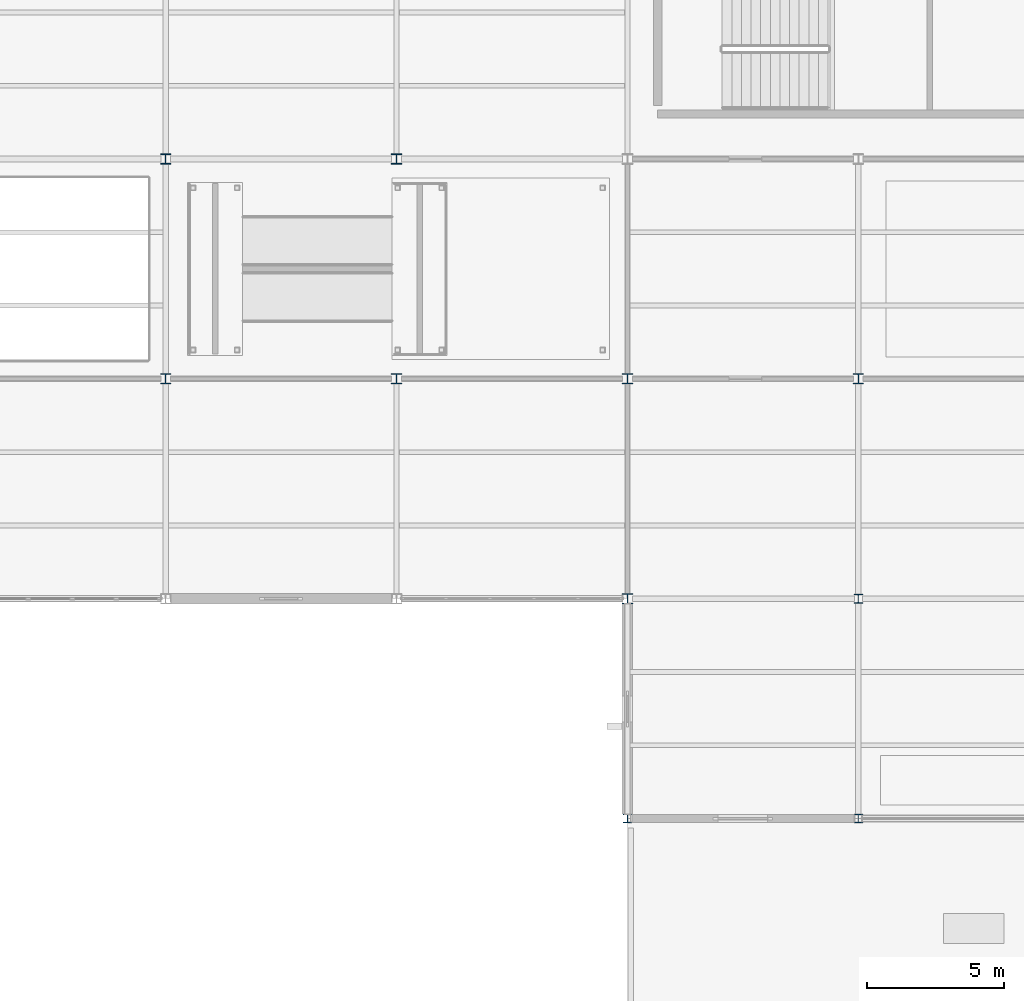
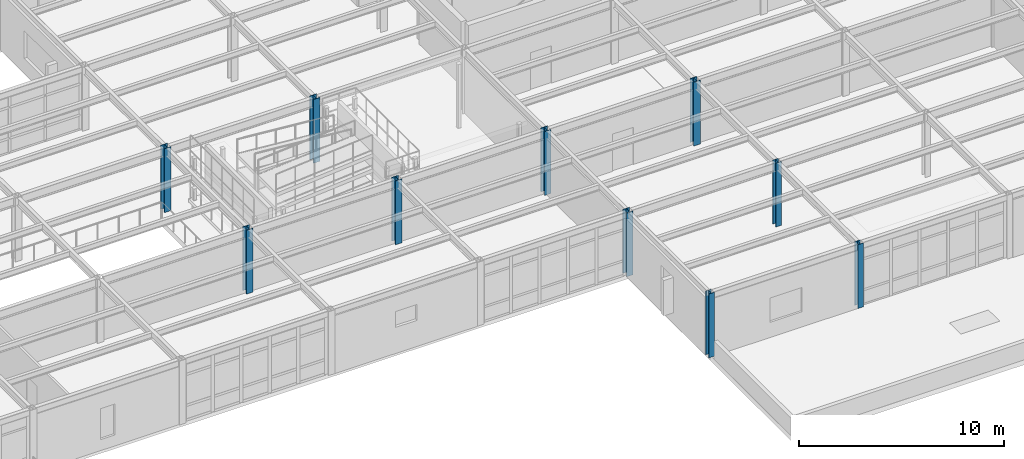
# One storey, part 2 of 138: 10 columns.
"""IFC4 building model written with IfcOpenShell, lengths in metres."""

from ifc_helpers import new_model, si_unit, direction, frame, origin, origin_2d, place, context, subcontext, project, spatial, i_section, extrude, material, material_profile, profile_set, type_object, element, save


model = new_model("IFC4")

# Units and contexts
model_context = context("Model", 3, precision=1e-05, world=origin(), true_north=direction((0.0, 1.0)))
body_context = subcontext(model_context, "Body", "Model", "MODEL_VIEW")
ifc_project = project(units=[si_unit("LENGTHUNIT", "METRE"), si_unit("AREAUNIT", "SQUARE_METRE"), si_unit("VOLUMEUNIT", "CUBIC_METRE"), si_unit("PLANEANGLEUNIT", "RADIAN"), si_unit("MASSUNIT", "GRAM", prefix="KILO")], contexts=[model_context])

# Site, building, storey
site_placement = place(None, origin())
site = spatial("IfcSite", under=ifc_project, at=site_placement, CompositionType="ELEMENT")
building_placement = place(site_placement, origin())
building = spatial("IfcBuilding", under=site, at=building_placement, Name="Kranzveld Transit Interchange", CompositionType="ELEMENT")
storey_placement = place(building_placement, frame((0.0, 0.0, 5.43994140625)))
storey = spatial("IfcBuildingStorey", under=building, at=storey_placement, Name="L01", CompositionType="ELEMENT", Elevation=5.43994140625)

# Columns
ifc_material_1 = material(Name="Steel S355JR", Category="steel")
ifc_material_profile_1 = material_profile(ifc_material_1, i_section(OverallWidth=0.30908203125, OverallDepth=0.320556640625, WebThickness=0.013916015625, FlangeThickness=0.021728515625, FilletRadius=0.01513671875, at=origin_2d()), Name="UC 305x305x137")
ifc_profile_set_1 = profile_set([ifc_material_profile_1], Name="Steel S355JR")
column_type_1 = type_object("IfcColumnType", Name="Column Steel UC 305x305x137 S355JR", PredefinedType="COLUMN", material=ifc_profile_set_1)
for number, where, z_axis, x_axis, name in (
    (1, (50.39990234375, 8.0, 0.0), (0.0, 0.0, 1.0), (1.0, 0.0, 0.0), "L01 Column 07/B"),
    (2, (58.800048828125, 8.0, 0.0), (0.0, 0.0, 1.0), (1.0, 0.0, 0.0), "L01 Column 08/B"),
    (3, (58.800048828125, 16.0, 0.0), (0.0, 0.0, 1.0), (1.0, 0.0, 0.0), "L01 Column 08/C"),
):
    element("IfcColumn", number, at=place(storey_placement, frame(where, z_axis=z_axis, x_axis=x_axis)), inside=storey, type_object=column_type_1, Name=name, PredefinedType="COLUMN", context=body_context, shape_type="SweptSolid", body=[
        extrude(i_section(OverallWidth=0.30908203125, OverallDepth=0.320556640625, WebThickness=0.013916015625, FlangeThickness=0.021728515625, FilletRadius=0.01513671875, at=origin_2d()), origin(), (0.0, 0.0, 1.0), 3.800048828125),
    ])
ifc_material_2 = material(Name="Steel S355JR", Category="steel")
ifc_material_profile_2 = material_profile(ifc_material_2, i_section(OverallWidth=0.374755859375, OverallDepth=0.37451171875, WebThickness=0.0166015625, FlangeThickness=0.027099609375, FilletRadius=0.01513671875, at=origin_2d()), Name="UC 356x368x202")
ifc_profile_set_2 = profile_set([ifc_material_profile_2], Name="Steel S355JR")
column_type_2 = type_object("IfcColumnType", Name="Column Steel UC 356x368x202 S355JR", PredefinedType="COLUMN", material=ifc_profile_set_2)
for number, where, z_axis, x_axis, name in (
    (4, (33.60009765625, 24.0, 0.0), (0.0, 0.0, 1.0), (1.0, 0.0, 0.0), "L01 Column 05/D"),
    (5, (33.60009765625, 32.0, 0.0), (0.0, 0.0, 1.0), (1.0, 0.0, 0.0), "L01 Column 05/E"),
    (6, (42.0, 24.0, 0.0), (0.0, 0.0, 1.0), (1.0, 0.0, 0.0), "L01 Column 06/D"),
    (7, (42.0, 32.0, 0.0), (0.0, 0.0, 1.0), (1.0, 0.0, 0.0), "L01 Column 06/E"),
    (8, (50.39990234375, 16.0, 0.0), (0.0, 0.0, 1.0), (1.0, 0.0, 0.0), "L01 Column 07/C"),
    (9, (50.39990234375, 24.0, 0.0), (0.0, 0.0, 1.0), (1.0, 0.0, 0.0), "L01 Column 07/D"),
    (10, (58.800048828125, 24.0, 0.0), (0.0, 0.0, 1.0), (1.0, 0.0, 0.0), "L01 Column 08/D"),
):
    element("IfcColumn", number, at=place(storey_placement, frame(where, z_axis=z_axis, x_axis=x_axis)), inside=storey, type_object=column_type_2, Name=name, PredefinedType="COLUMN", context=body_context, shape_type="SweptSolid", body=[
        extrude(i_section(OverallWidth=0.374755859375, OverallDepth=0.37451171875, WebThickness=0.0166015625, FlangeThickness=0.027099609375, FilletRadius=0.01513671875, at=origin_2d()), origin(), (0.0, 0.0, 1.0), 3.800048828125),
    ])

save(model, "model.ifc")
